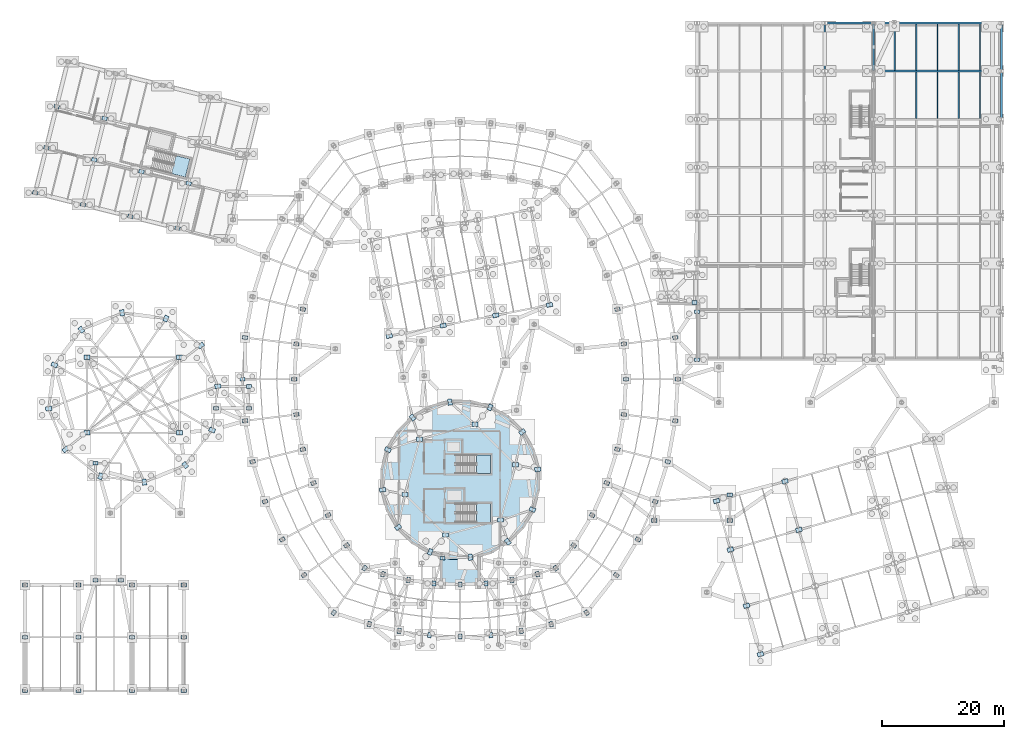
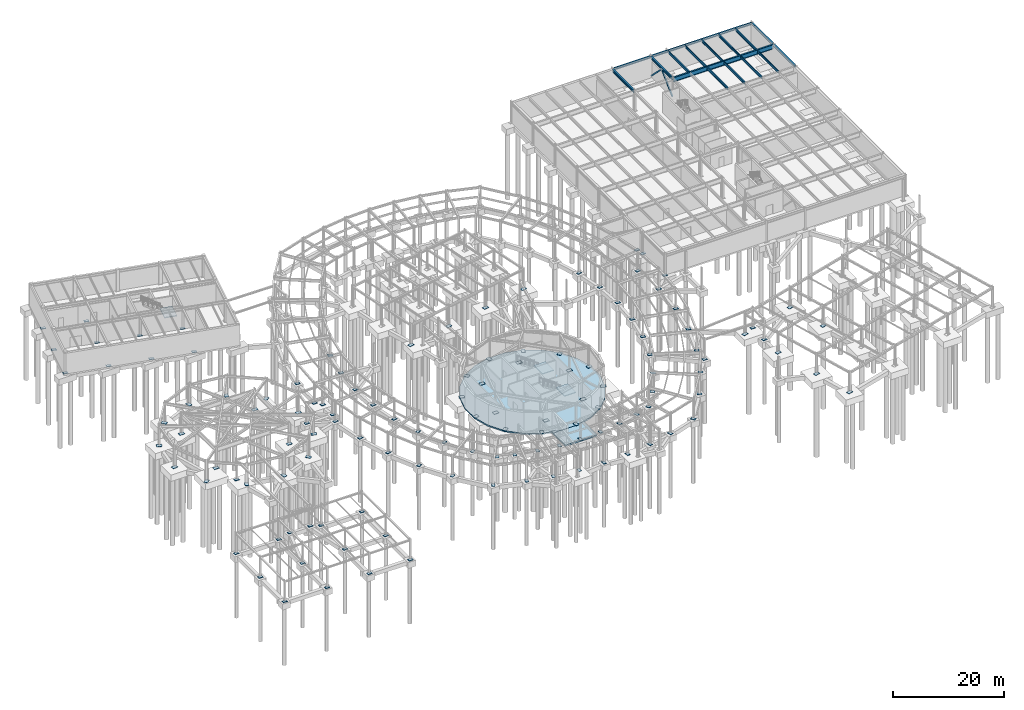
# One storey, part 37 of 50: 127 plates, 16 beams, 5 slabs, 2 members, 3 elements without a shape of their own.
"""IFC4 building model written with IfcOpenShell, lengths in metres."""

from ifc_helpers import new_model, si_unit, direction, frame, origin, origin_2d, place, context, subcontext, project, spatial, polyline, rectangle, hollow_rectangle, i_section, outline, extrude, material, layer, layer_set, material_profile, profile_set, type_object, element, aggregate, save


model = new_model("IFC4")

# Units and contexts
model_context = context("Model", 3, precision=1e-05, world=origin(), true_north=direction((0.0, 1.0)))
body_context = subcontext(model_context, "Body", "Model", "MODEL_VIEW")
ifc_project = project(units=[si_unit("LENGTHUNIT", "METRE"), si_unit("AREAUNIT", "SQUARE_METRE"), si_unit("VOLUMEUNIT", "CUBIC_METRE"), si_unit("PLANEANGLEUNIT", "RADIAN"), si_unit("MASSUNIT", "GRAM", prefix="KILO")], contexts=[model_context])

# Site, building, storey
site_placement = place(None, origin())
site = spatial("IfcSite", under=ifc_project, at=site_placement, CompositionType="ELEMENT")
building_placement = place(site_placement, origin())
building = spatial("IfcBuilding", under=site, at=building_placement, Name="Varnklinge Art Gallery", CompositionType="ELEMENT")
storey_placement = place(building_placement, frame((0.0, 0.0, -4.800048828125)))
storey = spatial("IfcBuildingStorey", under=building, at=storey_placement, Name="B01", CompositionType="ELEMENT", Elevation=-4.800048828125)

# Beams
ifc_material_1 = material(Name="Steel S355", Category="steel")
ifc_material_profile_1 = material_profile(ifc_material_1, i_section(OverallWidth=0.300048828125, OverallDepth=1.0, WebThickness=0.01904296875, FlangeThickness=0.035888671875, FilletRadius=0.030029296875, at=origin_2d()), Name="HEB 1000")
ifc_profile_set_1 = profile_set([ifc_material_profile_1], Name="Steel S355")
beam_type_1 = type_object("IfcBeamType", Name="BM-01", PredefinedType="BEAM", material=ifc_profile_set_1)
beam_1_placement = place(storey_placement, frame((143.5400390625, 105.60009765625, 4.050048828125), z_axis=(1.0, 0.0, 0.0), x_axis=(0.0, 1.0, 0.0)))
element("IfcBeam", 1, at=beam_1_placement, inside=storey, type_object=beam_type_1, Name="B01 BM-01 BM-V1-L00-X6-2", PredefinedType="BEAM", context=body_context, shape_type="SweptSolid", body=[
    extrude(i_section(OverallWidth=0.300048828125, OverallDepth=1.0, WebThickness=0.01904296875, FlangeThickness=0.035888671875, FilletRadius=0.030029296875, at=origin_2d()), origin(), (0.0, 0.0, 1.0), 20.719970703125),
])
ifc_material_2 = material(Name="Steel S355", Category="steel")
ifc_material_profile_2 = material_profile(ifc_material_2, i_section(OverallWidth=0.300048828125, OverallDepth=0.60009765625, WebThickness=0.015380859375, FlangeThickness=0.030029296875, FilletRadius=0.027099609375, at=origin_2d()), Name="HEB 600")
ifc_profile_set_2 = profile_set([ifc_material_profile_2], Name="Steel S355")
beam_type_2 = type_object("IfcBeamType", Name="BM-05", PredefinedType="BEAM", material=ifc_profile_set_2)
for number, where, z_axis, x_axis, name in (
    (2, (135.39990234375, 105.739990234375, 4.25), (0.0, 1.0, 0.0), (-1.0, 0.0, 0.0), "B01 BM-05 BM-V1-L00-Y1-6"),
    (3, (143.39990234375, 105.739990234375, 4.25), (0.0, 1.0, 0.0), (-1.0, 0.0, 0.0), "B01 BM-05 BM-V1-L00-Y2-6"),
):
    element("IfcBeam", number, at=place(storey_placement, frame(where, z_axis=z_axis, x_axis=x_axis)), inside=storey, type_object=beam_type_2, Name=name, PredefinedType="BEAM", context=body_context, shape_type="SweptSolid", body=[
        extrude(i_section(OverallWidth=0.300048828125, OverallDepth=0.60009765625, WebThickness=0.015380859375, FlangeThickness=0.030029296875, FilletRadius=0.027099609375, at=origin_2d()), origin(), (0.0, 0.0, 1.0), 7.6201171875),
    ])

# Members
ifc_material_3 = material(Name="Steel S355", Category="steel")
ifc_material_profile_3 = material_profile(ifc_material_3, hollow_rectangle(XDim=0.25, YDim=0.25, WallThickness=0.012451171875, at=origin_2d()), Name="SHS 250x250x12.5")
ifc_profile_set_3 = profile_set([ifc_material_profile_3], Name="Steel S355")
member_type = type_object("IfcMemberType", Name="BRC-04", PredefinedType="BRACE", material=ifc_profile_set_3)
for number, where, z_axis, x_axis, name in (
    (4, (143.39990234375, 105.760009765625, 0.199951171875), (0.0, 0.710851632373, 0.703341991319), (-1.0, 0.0, 0.0), "B01 Braced Frame V1E-B6 Diagonal A"),
    (5, (143.39990234375, 113.340087890625, 0.199951171875), (0.0, -0.710851632373, 0.703341991319), (1.0, 0.0, 0.0), "B01 Braced Frame V1E-B6 Diagonal B"),
):
    element("IfcMember", number, at=place(storey_placement, frame(where, z_axis=z_axis, x_axis=x_axis)), inside=storey, type_object=member_type, Name=name, PredefinedType="BRACE", context=body_context, shape_type="SweptSolid", body=[
        extrude(hollow_rectangle(XDim=0.25, YDim=0.25, WallThickness=0.012451171875, at=origin_2d()), origin(), (0.0, 0.0, 1.0), 5.331787109375),
    ])

# Beams
ifc_material_4 = material(Name="Steel S355", Category="steel")
ifc_material_profile_4 = material_profile(ifc_material_4, i_section(OverallWidth=0.2099609375, OverallDepth=0.550048828125, WebThickness=0.010986328125, FlangeThickness=0.01708984375, FilletRadius=0.02392578125, at=origin_2d()), Name="IPE 550")
ifc_profile_set_4 = profile_set([ifc_material_profile_4], Name="Steel S355")
beam_type_3 = type_object("IfcBeamType", Name="JST-02", PredefinedType="JOIST", material=ifc_profile_set_4)
for number, where, z_axis, x_axis, name in (
    (6, (150.39990234375, 97.840087890625, 4.275146484375), (0.0, 1.0, 0.0), (-1.0, 0.0, 0.0), "B01 JST-02 JST-V1-L00-5-1-2"),
    (7, (153.89990234375, 97.840087890625, 4.275146484375), (0.0, 1.0, 0.0), (-1.0, 0.0, 0.0), "B01 JST-02 JST-V1-L00-5-1-3"),
    (8, (157.39990234375, 97.840087890625, 4.275146484375), (0.0, 1.0, 0.0), (-1.0, 0.0, 0.0), "B01 JST-02 JST-V1-L00-5-1-4"),
    (9, (160.89990234375, 97.840087890625, 4.275146484375), (0.0, 1.0, 0.0), (-1.0, 0.0, 0.0), "B01 JST-02 JST-V1-L00-5-1-5"),
):
    element("IfcBeam", number, at=place(storey_placement, frame(where, z_axis=z_axis, x_axis=x_axis)), inside=storey, type_object=beam_type_3, Name=name, PredefinedType="JOIST", context=body_context, shape_type="SweptSolid", body=[
        extrude(i_section(OverallWidth=0.2099609375, OverallDepth=0.550048828125, WebThickness=0.010986328125, FlangeThickness=0.01708984375, FilletRadius=0.02392578125, at=origin_2d()), origin(), (0.0, 0.0, 1.0), 7.619873046875),
    ])
for number, where, z_axis, x_axis, name in (
    (10, (146.89990234375, 105.739990234375, 4.275146484375), (0.0, 1.0, 0.0), (-1.0, 0.0, 0.0), "B01 JST-02 JST-V1-L00-6-1-1"),
    (11, (150.39990234375, 105.739990234375, 4.275146484375), (0.0, 1.0, 0.0), (-1.0, 0.0, 0.0), "B01 JST-02 JST-V1-L00-6-1-2"),
    (12, (153.89990234375, 105.739990234375, 4.275146484375), (0.0, 1.0, 0.0), (-1.0, 0.0, 0.0), "B01 JST-02 JST-V1-L00-6-1-3"),
    (13, (157.39990234375, 105.739990234375, 4.275146484375), (0.0, 1.0, 0.0), (-1.0, 0.0, 0.0), "B01 JST-02 JST-V1-L00-6-1-4"),
    (14, (160.89990234375, 105.739990234375, 4.275146484375), (0.0, 1.0, 0.0), (-1.0, 0.0, 0.0), "B01 JST-02 JST-V1-L00-6-1-5"),
):
    element("IfcBeam", number, at=place(storey_placement, frame(where, z_axis=z_axis, x_axis=x_axis)), inside=storey, type_object=beam_type_3, Name=name, PredefinedType="JOIST", context=body_context, shape_type="SweptSolid", body=[
        extrude(i_section(OverallWidth=0.2099609375, OverallDepth=0.550048828125, WebThickness=0.010986328125, FlangeThickness=0.01708984375, FilletRadius=0.02392578125, at=origin_2d()), origin(), (0.0, 0.0, 1.0), 7.6201171875),
    ])
ifc_material_5 = material(Name="Steel S355", Category="steel")
ifc_material_profile_5 = material_profile(ifc_material_5, i_section(OverallWidth=0.300048828125, OverallDepth=0.489990234375, WebThickness=0.011962890625, FlangeThickness=0.02294921875, FilletRadius=0.027099609375, at=origin_2d()), Name="HEA 500")
ifc_profile_set_5 = profile_set([ifc_material_profile_5], Name="Steel S355")
beam_type_4 = type_object("IfcBeamType", Name="SPB-01", PredefinedType="SPANDREL", material=ifc_profile_set_5)
beam_2_placement = place(storey_placement, frame((135.5400390625, 113.5, 4.304931640625), z_axis=(1.0, 0.0, 0.0), x_axis=(0.0, 1.0, 0.0)))
element("IfcBeam", 15, at=beam_2_placement, inside=storey, type_object=beam_type_4, Name="B01 SPB-01 BM-V1-L00-X7-1", PredefinedType="SPANDREL", context=body_context, shape_type="SweptSolid", body=[
    extrude(i_section(OverallWidth=0.300048828125, OverallDepth=0.489990234375, WebThickness=0.011962890625, FlangeThickness=0.02294921875, FilletRadius=0.027099609375, at=origin_2d()), origin(), (0.0, 0.0, 1.0), 7.719970703125),
])
beam_3_placement = place(storey_placement, frame((143.5400390625, 113.5, 4.304931640625), z_axis=(1.0, 0.0, 0.0), x_axis=(0.0, 1.0, 0.0)))
element("IfcBeam", 16, at=beam_3_placement, inside=storey, type_object=beam_type_4, Name="B01 SPB-01 BM-V1-L00-X7-2", PredefinedType="SPANDREL", context=body_context, shape_type="SweptSolid", body=[
    extrude(i_section(OverallWidth=0.300048828125, OverallDepth=0.489990234375, WebThickness=0.011962890625, FlangeThickness=0.02294921875, FilletRadius=0.027099609375, at=origin_2d()), origin(), (0.0, 0.0, 1.0), 20.719970703125),
])
beam_4_placement = place(storey_placement, frame((164.39990234375, 97.840087890625, 4.304931640625), z_axis=(0.0, 1.0, 0.0), x_axis=(-1.0, 0.0, 0.0)))
element("IfcBeam", 17, at=beam_4_placement, inside=storey, type_object=beam_type_4, Name="B01 SPB-01 BM-V1-L00-Y3-5", PredefinedType="SPANDREL", context=body_context, shape_type="SweptSolid", body=[
    extrude(i_section(OverallWidth=0.300048828125, OverallDepth=0.489990234375, WebThickness=0.011962890625, FlangeThickness=0.02294921875, FilletRadius=0.027099609375, at=origin_2d()), origin(), (0.0, 0.0, 1.0), 7.619873046875),
])
beam_5_placement = place(storey_placement, frame((164.39990234375, 105.739990234375, 4.304931640625), z_axis=(0.0, 1.0, 0.0), x_axis=(-1.0, 0.0, 0.0)))
element("IfcBeam", 18, at=beam_5_placement, inside=storey, type_object=beam_type_4, Name="B01 SPB-01 BM-V1-L00-Y3-6", PredefinedType="SPANDREL", context=body_context, shape_type="SweptSolid", body=[
    extrude(i_section(OverallWidth=0.300048828125, OverallDepth=0.489990234375, WebThickness=0.011962890625, FlangeThickness=0.02294921875, FilletRadius=0.027099609375, at=origin_2d()), origin(), (0.0, 0.0, 1.0), 7.6201171875),
])

# Plates
ifc_material_6 = material(Name="Steel S355", Category="steel")
ifc_layer_1 = layer(ifc_material_6, 0.050048828125)
ifc_layer_set_1 = layer_set([ifc_layer_1], Name="Steel S355")
plate_type_1 = type_object("IfcPlateType", Name="PLT-BP2", PredefinedType="SHEET", material=ifc_layer_set_1)
for number, where, z_axis, x_axis, name in (
    (19, (114.39990234375, 58.199951171875, 0.0), (0.0, 0.0, 1.0), (1.0, 0.0, 0.0), "B01 Column Base Plate V1C-1-1"),
    (20, (114.39990234375, 66.10009765625, 0.0), (0.0, 0.0, 1.0), (1.0, 0.0, 0.0), "B01 Column Base Plate V1C-1-2"),
    (21, (96.27099609375, 16.64013671875, 0.0), (0.0, 0.0, 1.0), (-0.570570241419, 0.821248804935, 0.0), "B01 Column Base Plate V2CO-01"),
    (22, (91.185791015625, 23.958984375, 0.0), (0.0, 0.0, 1.0), (-0.570570241419, 0.821248804935, 0.0), "B01 Column Base Plate V2CI-01"),
    (23, (101.14990234375, 22.8251953125, 0.0), (0.0, 0.0, 1.0), (-0.820351542489, 0.571859551582, 0.0), "B01 Column Base Plate V2CO-02"),
    (24, (94.1630859375, 27.6962890625, 0.0), (0.0, 0.0, 1.0), (-0.820351542489, 0.571859551582, 0.0), "B01 Column Base Plate V2CI-02"),
    (25, (104.71630859375, 28.6689453125, 0.0), (0.0, 0.0, 1.0), (-0.883683947469, 0.468084053333, 0.0), "B01 Column Base Plate V2CO-03"),
    (26, (97.189697265625, 32.655517578125, 0.0), (0.0, 0.0, 1.0), (-0.883683947469, 0.468084053333, 0.0), "B01 Column Base Plate V2CI-03"),
    (27, (107.54638671875, 34.90283203125, 0.0), (0.0, 0.0, 1.0), (-0.934017558691, 0.357227098715, 0.0), "B01 Column Base Plate V2CO-04"),
    (28, (99.59130859375, 37.9453125, 0.0), (0.0, 0.0, 1.0), (-0.934017558691, 0.357227098715, 0.0), "B01 Column Base Plate V2CI-04"),
    (29, (109.598388671875, 41.43408203125, 0.0), (0.0, 0.0, 1.0), (-0.970506473469, 0.241075060833, 0.0), "B01 Column Base Plate V2CO-05"),
    (30, (101.332763671875, 43.488037109375, 0.0), (0.0, 0.0, 1.0), (-0.970506473469, 0.241075060833, 0.0), "B01 Column Base Plate V2CI-05"),
    (31, (110.842041015625, 48.16650390625, 0.0), (0.0, 0.0, 1.0), (-0.992588631597, 0.121522872021, 0.0), "B01 Column Base Plate V2CO-06"),
    (32, (102.387939453125, 49.201171875, 0.0), (0.0, 0.0, 1.0), (-0.992588631597, 0.121522872021, 0.0), "B01 Column Base Plate V2CI-06"),
    (33, (111.258544921875, 55.0, 0.0), (0.0, 0.0, 1.0), (-1.0, 0.0, 0.0), "B01 Column Base Plate V2CO-07"),
    (34, (102.741455078125, 55.0, 0.0), (0.0, 0.0, 1.0), (-1.0, 0.0, 0.0), "B01 Column Base Plate V2CI-07"),
    (35, (110.842041015625, 61.83349609375, 0.0), (0.0, 0.0, 1.0), (-0.992588631597, -0.121522872021, 0.0), "B01 Column Base Plate V2CO-08"),
    (36, (102.387939453125, 60.798828125, 0.0), (0.0, 0.0, 1.0), (-0.992588631597, -0.121522872021, 0.0), "B01 Column Base Plate V2CI-08"),
    (37, (101.332763671875, 66.511962890625, 0.0), (0.0, 0.0, 1.0), (-0.970506473469, -0.241075060833, 0.0), "B01 Column Base Plate V2CI-09"),
    (38, (49.667236328125, 66.511962890625, 0.0), (0.0, 0.0, 1.0), (0.970506473469, -0.241075060833, 0.0), "B01 Column Base Plate V2CI-25"),
    (39, (40.157958984375, 61.83349609375, 0.0), (0.0, 0.0, 1.0), (0.992588631597, -0.121522872021, 0.0), "B01 Column Base Plate V2CO-26"),
    (40, (48.612060546875, 60.798828125, 0.0), (0.0, 0.0, 1.0), (0.992588631597, -0.121522872021, 0.0), "B01 Column Base Plate V2CI-26"),
    (41, (39.741455078125, 55.0, 0.0), (0.0, 0.0, 1.0), (1.0, 0.0, 0.0), "B01 Column Base Plate V2CO-27"),
    (42, (48.258544921875, 55.0, 0.0), (0.0, 0.0, 1.0), (1.0, 0.0, 0.0), "B01 Column Base Plate V2CI-27"),
    (43, (40.157958984375, 48.16650390625, 0.0), (0.0, 0.0, 1.0), (0.992588631597, 0.121522872021, 0.0), "B01 Column Base Plate V2CO-28"),
    (44, (48.612060546875, 49.201171875, 0.0), (0.0, 0.0, 1.0), (0.992588631597, 0.121522872021, 0.0), "B01 Column Base Plate V2CI-28"),
    (45, (41.401611328125, 41.43408203125, 0.0), (0.0, 0.0, 1.0), (0.970506473469, 0.241075060833, 0.0), "B01 Column Base Plate V2CO-29"),
    (46, (49.667236328125, 43.488037109375, 0.0), (0.0, 0.0, 1.0), (0.970506473469, 0.241075060833, 0.0), "B01 Column Base Plate V2CI-29"),
    (47, (43.45361328125, 34.90283203125, 0.0), (0.0, 0.0, 1.0), (0.934017558691, 0.357227098715, 0.0), "B01 Column Base Plate V2CO-30"),
    (48, (51.40869140625, 37.9453125, 0.0), (0.0, 0.0, 1.0), (0.934017558691, 0.357227098715, 0.0), "B01 Column Base Plate V2CI-30"),
    (49, (46.28369140625, 28.6689453125, 0.0), (0.0, 0.0, 1.0), (0.883683947469, 0.468084053333, 0.0), "B01 Column Base Plate V2CO-31"),
    (50, (53.810302734375, 32.655517578125, 0.0), (0.0, 0.0, 1.0), (0.883683947469, 0.468084053333, 0.0), "B01 Column Base Plate V2CI-31"),
    (51, (49.85009765625, 22.8251953125, 0.0), (0.0, 0.0, 1.0), (0.820351542489, 0.571859551582, 0.0), "B01 Column Base Plate V2CO-32"),
    (52, (56.8369140625, 27.6962890625, 0.0), (0.0, 0.0, 1.0), (0.820351542489, 0.571859551582, 0.0), "B01 Column Base Plate V2CI-32"),
    (53, (54.72900390625, 16.64013671875, 0.0), (0.0, 0.0, 1.0), (0.570570241419, 0.821248804935, 0.0), "B01 Column Base Plate V2CO-33"),
    (54, (59.814208984375, 23.958984375, 0.0), (0.0, 0.0, 1.0), (0.570570241419, 0.821248804935, 0.0), "B01 Column Base Plate V2CI-33"),
    (55, (60.5703125, 14.7626953125, 0.0), (0.0, 0.0, 1.0), (0.265387847052, 0.964141737836, 0.0), "B01 Column Base Plate V2CO-34"),
    (56, (62.82861328125, 22.966796875, 0.0), (0.0, 0.0, 1.0), (0.265387847052, 0.964141737836, 0.0), "B01 Column Base Plate V2CI-34"),
    (57, (65.479736328125, 13.64501953125, 0.0), (0.0, 0.0, 1.0), (0.178115290264, 0.984009625651, 0.0), "B01 Column Base Plate V2CO-35"),
    (58, (66.99560546875, 22.018310546875, 0.0), (0.0, 0.0, 1.0), (0.178115290264, 0.984009625651, 0.0), "B01 Column Base Plate V2CI-35"),
    (59, (70.4697265625, 12.970703125, 0.0), (0.0, 0.0, 1.0), (0.089415810539, 0.995994383933, 0.0), "B01 Column Base Plate V2CO-36"),
    (60, (71.230712890625, 21.44580078125, 0.0), (0.0, 0.0, 1.0), (0.089415810539, 0.995994383933, 0.0), "B01 Column Base Plate V2CI-36"),
    (61, (75.5, 12.745361328125, 0.0), (0.0, 0.0, 1.0), (0.0, 1.0, 0.0), "B01 Column Base Plate V2CO-37"),
    (62, (75.5, 21.254638671875, 0.0), (0.0, 0.0, 1.0), (0.0, 1.0, 0.0), "B01 Column Base Plate V2CI-37"),
    (63, (80.5302734375, 12.970703125, 0.0), (0.0, 0.0, 1.0), (-0.089415810539, 0.995994383933, 0.0), "B01 Column Base Plate V2CO-38"),
    (64, (79.769287109375, 21.44580078125, 0.0), (0.0, 0.0, 1.0), (-0.089415810539, 0.995994383933, 0.0), "B01 Column Base Plate V2CI-38"),
    (65, (85.520263671875, 13.64501953125, 0.0), (0.0, 0.0, 1.0), (-0.178115290264, 0.984009625651, 0.0), "B01 Column Base Plate V2CO-39"),
    (66, (84.00439453125, 22.018310546875, 0.0), (0.0, 0.0, 1.0), (-0.178115290264, 0.984009625651, 0.0), "B01 Column Base Plate V2CI-39"),
    (67, (90.4296875, 14.7626953125, 0.0), (0.0, 0.0, 1.0), (-0.265387847052, 0.964141737836, 0.0), "B01 Column Base Plate V2CO-40"),
    (68, (88.17138671875, 22.966796875, 0.0), (0.0, 0.0, 1.0), (-0.265387847052, 0.964141737836, 0.0), "B01 Column Base Plate V2CI-40"),
    (69, (5.69287109375, 85.624755859375, 0.0), (0.0, 0.0, 1.0), (0.970295726276, -0.2419218956, 0.0), "B01 Column Base Plate V5C-1-1"),
    (70, (7.531494140625, 92.998779296875, 0.0), (0.0, 0.0, 1.0), (0.970295726276, -0.2419218956, 0.0), "B01 Column Base Plate V5C-1-2"),
    (71, (9.22509765625, 99.791015625, 0.0), (0.0, 0.0, 1.0), (0.970295726276, -0.2419218956, 0.0), "B01 Column Base Plate V5C-1-3"),
    (72, (13.55224609375, 83.6650390625, 0.0), (0.0, 0.0, 1.0), (0.970295726276, -0.2419218956, 0.0), "B01 Column Base Plate V5C-2-1"),
    (73, (15.390869140625, 91.039306640625, 0.0), (0.0, 0.0, 1.0), (0.970295726276, -0.2419218956, 0.0), "B01 Column Base Plate V5C-2-2"),
    (74, (17.08447265625, 97.831298828125, 0.0), (0.0, 0.0, 1.0), (0.970295726276, -0.2419218956, 0.0), "B01 Column Base Plate V5C-2-3"),
    (75, (21.314697265625, 81.729736328125, 0.0), (0.0, 0.0, 1.0), (0.970295726276, -0.2419218956, 0.0), "B01 Column Base Plate V5C-3-1"),
    (76, (23.1533203125, 89.10400390625, 0.0), (0.0, 0.0, 1.0), (0.970295726276, -0.2419218956, 0.0), "B01 Column Base Plate V5C-3-2"),
    (77, (29.076904296875, 79.794189453125, 0.0), (0.0, 0.0, 1.0), (0.970295726276, -0.2419218956, 0.0), "B01 Column Base Plate V5C-4-1"),
    (78, (30.91552734375, 87.168701171875, 0.0), (0.0, 0.0, 1.0), (0.970295726276, -0.2419218956, 0.0), "B01 Column Base Plate V5C-4-2"),
    (79, (4.0, 3.800048828125, 0.0), (0.0, 0.0, 1.0), (1.0, 0.0, 0.0), "B01 Column Base Plate V6SW-1-1"),
    (80, (4.0, 12.60009765625, 0.0), (0.0, 0.0, 1.0), (1.0, 0.0, 0.0), "B01 Column Base Plate V6SW-1-2"),
    (81, (4.0, 21.199951171875, 0.0), (0.0, 0.0, 1.0), (1.0, 0.0, 0.0), "B01 Column Base Plate V6SW-1-3"),
    (82, (12.800048828125, 3.800048828125, 0.0), (0.0, 0.0, 1.0), (1.0, 0.0, 0.0), "B01 Column Base Plate V6SW-2-1"),
    (83, (12.800048828125, 12.60009765625, 0.0), (0.0, 0.0, 1.0), (1.0, 0.0, 0.0), "B01 Column Base Plate V6SW-2-2"),
    (84, (12.800048828125, 21.199951171875, 0.0), (0.0, 0.0, 1.0), (1.0, 0.0, 0.0), "B01 Column Base Plate V6SW-2-3"),
    (85, (21.60009765625, 3.800048828125, 0.0), (0.0, 0.0, 1.0), (1.0, 0.0, 0.0), "B01 Column Base Plate V6SW-3-1"),
    (86, (21.60009765625, 12.60009765625, 0.0), (0.0, 0.0, 1.0), (1.0, 0.0, 0.0), "B01 Column Base Plate V6SW-3-2"),
    (87, (21.60009765625, 21.199951171875, 0.0), (0.0, 0.0, 1.0), (1.0, 0.0, 0.0), "B01 Column Base Plate V6SW-3-3"),
    (88, (30.10009765625, 3.800048828125, 0.0), (0.0, 0.0, 1.0), (1.0, 0.0, 0.0), "B01 Column Base Plate V6SW-4-1"),
    (89, (30.10009765625, 12.60009765625, 0.0), (0.0, 0.0, 1.0), (1.0, 0.0, 0.0), "B01 Column Base Plate V6SW-4-2"),
    (90, (30.10009765625, 21.199951171875, 0.0), (0.0, 0.0, 1.0), (1.0, 0.0, 0.0), "B01 Column Base Plate V6SW-4-3"),
    (91, (114.0, 67.60009765625, 0.0), (0.0, 0.0, 1.0), (1.0, 0.0, 0.0), "B01 Column Base Plate LNK-V1-C2"),
    (92, (35.39990234375, 50.199951171875, 0.0), (0.0, 0.0, 1.0), (1.0, 0.0, 0.0), "B01 Column Base Plate LNK-V3-C1"),
    (93, (40.800048828125, 50.199951171875, 0.0), (0.0, 0.0, 1.0), (1.0, 0.0, 0.0), "B01 Column Base Plate LNK-V3-C2"),
    (94, (40.800048828125, 53.800048828125, 0.0), (0.0, 0.0, 1.0), (1.0, 0.0, 0.0), "B01 Column Base Plate LNK-V3-C3"),
    (95, (72.60009765625, 25.60009765625, 0.0), (0.0, 0.0, 1.0), (1.0, 0.0, 0.0), "B01 Column Base Plate LNK-V4S-C4"),
    (96, (107.39990234375, 31.800048828125, 0.0), (0.0, 0.0, 1.0), (1.0, 0.0, 0.0), "B01 Column Base Plate LNK-V6-C1"),
    (97, (119.800048828125, 31.800048828125, 0.0), (0.0, 0.0, 1.0), (1.0, 0.0, 0.0), "B01 Column Base Plate LNK-V6-C2"),
    (98, (119.800048828125, 36.0, 0.0), (0.0, 0.0, 1.0), (1.0, 0.0, 0.0), "B01 Column Base Plate LNK-V6-C3"),
    (99, (15.60009765625, 22.0, 0.0), (0.0, 0.0, 1.0), (1.0, 0.0, 0.0), "B01 Column Base Plate LNK-SW-C1"),
    (100, (19.800048828125, 22.0, 0.0), (0.0, 0.0, 1.0), (1.0, 0.0, 0.0), "B01 Column Base Plate LNK-SW-C2"),
    (101, (15.60009765625, 41.199951171875, 0.0), (0.0, 0.0, 1.0), (1.0, 0.0, 0.0), "B01 Column Base Plate LNK-SW-C4"),
):
    element("IfcPlate", number, at=place(storey_placement, frame(where, z_axis=z_axis, x_axis=x_axis)), inside=storey, type_object=plate_type_1, Name=name, PredefinedType="SHEET", context=body_context, shape_type="SweptSolid", body=[
        extrude(rectangle(XDim=0.860107421875, YDim=0.60009765625, at=origin_2d()), origin(), (0.0, 0.0, 1.0), 0.050048828125),
    ])
ifc_material_7 = material(Name="Steel S355", Category="steel")
ifc_layer_2 = layer(ifc_material_7, 0.06005859375)
ifc_layer_set_2 = layer_set([ifc_layer_2], Name="Steel S355")
plate_type_2 = type_object("IfcPlateType", Name="PLT-BP3", PredefinedType="SHEET", material=ifc_layer_set_2)
for number, where, z_axis, x_axis, name in (
    (102, (35.7001953125, 53.830078125, 0.0), (0.0, 0.0, 1.0), (0.991444861374, 0.13052619222, 0.0), "B01 Column Base Plate V3CP-01"),
    (103, (32.9228515625, 60.534912109375, 0.0), (0.0, 0.0, 1.0), (0.793353340291, 0.608761429009, 0.0), "B01 Column Base Plate V3CP-02"),
    (104, (27.165283203125, 64.952880859375, 0.0), (0.0, 0.0, 1.0), (0.382683432365, 0.923879532511, 0.0), "B01 Column Base Plate V3CP-03"),
    (105, (19.969970703125, 65.900146484375, 0.0), (0.0, 0.0, 1.0), (-0.13052619222, 0.991444861374, 0.0), "B01 Column Base Plate V3CP-04"),
    (106, (13.26513671875, 63.122802734375, 0.0), (0.0, 0.0, 1.0), (-0.608761429009, 0.793353340291, 0.0), "B01 Column Base Plate V3CP-05"),
    (107, (8.84716796875, 57.365234375, 0.0), (0.0, 0.0, 1.0), (-0.923879532511, 0.382683432365, 0.0), "B01 Column Base Plate V3CP-06"),
    (108, (7.89990234375, 50.169921875, 0.0), (0.0, 0.0, 1.0), (-0.991444861374, -0.13052619222, 0.0), "B01 Column Base Plate V3CP-07"),
    (109, (10.67724609375, 43.465087890625, 0.0), (0.0, 0.0, 1.0), (-0.793353340291, -0.608761429009, 0.0), "B01 Column Base Plate V3CP-08"),
    (110, (16.434814453125, 39.047119140625, 0.0), (0.0, 0.0, 1.0), (-0.382683432365, -0.923879532511, 0.0), "B01 Column Base Plate V3CP-09"),
    (111, (23.6298828125, 38.099853515625, 0.0), (0.0, 0.0, 1.0), (0.13052619222, -0.991444861374, 0.0), "B01 Column Base Plate V3CP-10"),
    (112, (30.334716796875, 40.877197265625, 0.0), (0.0, 0.0, 1.0), (0.608761429009, -0.793353340291, 0.0), "B01 Column Base Plate V3CP-11"),
    (113, (34.752685546875, 46.634765625, 0.0), (0.0, 0.0, 1.0), (0.923879532511, -0.382683432365, 0.0), "B01 Column Base Plate V3CP-12"),
    (114, (14.199951171875, 46.199951171875, 0.0), (0.0, 0.0, 1.0), (1.0, 0.0, 0.0), "B01 Column Base Plate V3CI-1"),
    (115, (29.39990234375, 46.199951171875, 0.0), (0.0, 0.0, 1.0), (1.0, 0.0, 0.0), "B01 Column Base Plate V3CI-2"),
    (116, (29.39990234375, 58.60009765625, 0.0), (0.0, 0.0, 1.0), (1.0, 0.0, 0.0), "B01 Column Base Plate V3CI-3"),
    (117, (14.199951171875, 58.60009765625, 0.0), (0.0, 0.0, 1.0), (1.0, 0.0, 0.0), "B01 Column Base Plate V3CI-4"),
    (118, (88.239990234375, 40.17724609375, 0.0), (0.0, 0.0, 1.0), (0.991444861374, 0.13052619222, 0.0), "B01 Column Base Plate V4CP-01"),
    (119, (85.694580078125, 46.322509765625, 0.0), (0.0, 0.0, 1.0), (0.793353340291, 0.608761429009, 0.0), "B01 Column Base Plate V4CP-02"),
    (120, (80.41748046875, 50.371826171875, 0.0), (0.0, 0.0, 1.0), (0.382683432365, 0.923879532511, 0.0), "B01 Column Base Plate V4CP-03"),
    (121, (73.82275390625, 51.239990234375, 0.0), (0.0, 0.0, 1.0), (-0.13052619222, 0.991444861374, 0.0), "B01 Column Base Plate V4CP-04"),
    (122, (67.677490234375, 48.694580078125, 0.0), (0.0, 0.0, 1.0), (-0.608761429009, 0.793353340291, 0.0), "B01 Column Base Plate V4CP-05"),
    (123, (63.628173828125, 43.41748046875, 0.0), (0.0, 0.0, 1.0), (-0.923879532511, 0.382683432365, 0.0), "B01 Column Base Plate V4CP-06"),
    (124, (62.760009765625, 36.82275390625, 0.0), (0.0, 0.0, 1.0), (-0.991444861374, -0.13052619222, 0.0), "B01 Column Base Plate V4CP-07"),
    (125, (65.305419921875, 30.677490234375, 0.0), (0.0, 0.0, 1.0), (-0.793353340291, -0.608761429009, 0.0), "B01 Column Base Plate V4CP-08"),
    (126, (70.58251953125, 26.628173828125, 0.0), (0.0, 0.0, 1.0), (-0.382683432365, -0.923879532511, 0.0), "B01 Column Base Plate V4CP-09"),
    (127, (77.17724609375, 25.760009765625, 0.0), (0.0, 0.0, 1.0), (0.13052619222, -0.991444861374, 0.0), "B01 Column Base Plate V4CP-10"),
    (128, (83.322509765625, 28.305419921875, 0.0), (0.0, 0.0, 1.0), (0.608761429009, -0.793353340291, 0.0), "B01 Column Base Plate V4CP-11"),
    (129, (87.371826171875, 33.58251953125, 0.0), (0.0, 0.0, 1.0), (0.923879532511, -0.382683432365, 0.0), "B01 Column Base Plate V4CP-12"),
    (130, (84.57958984375, 40.932861328125, 0.0), (0.0, 0.0, 1.0), (1.0, 0.0, 0.0), "B01 Column Base Plate V4CI-1"),
    (131, (77.932861328125, 47.57958984375, 0.0), (0.0, 0.0, 1.0), (1.0, 0.0, 0.0), "B01 Column Base Plate V4CI-2"),
    (132, (68.853271484375, 45.146728515625, 0.0), (0.0, 0.0, 1.0), (1.0, 0.0, 0.0), "B01 Column Base Plate V4CI-3"),
    (133, (66.42041015625, 36.067138671875, 0.0), (0.0, 0.0, 1.0), (1.0, 0.0, 0.0), "B01 Column Base Plate V4CI-4"),
    (134, (73.067138671875, 29.42041015625, 0.0), (0.0, 0.0, 1.0), (1.0, 0.0, 0.0), "B01 Column Base Plate V4CI-5"),
    (135, (82.146728515625, 31.853271484375, 0.0), (0.0, 0.0, 1.0), (1.0, 0.0, 0.0), "B01 Column Base Plate V4CI-6"),
    (136, (63.872802734375, 62.090087890625, 0.0), (0.0, 0.0, 1.0), (0.981627183448, 0.190808995377, 0.0), "B01 Column Base Plate V4BC-1-1"),
    (137, (72.707275390625, 63.807373046875, 0.0), (0.0, 0.0, 1.0), (0.981627183448, 0.190808995377, 0.0), "B01 Column Base Plate V4BC-2-1"),
    (138, (81.345703125, 65.486572265625, 0.0), (0.0, 0.0, 1.0), (0.981627183448, 0.190808995377, 0.0), "B01 Column Base Plate V4BC-3-1"),
    (139, (90.180419921875, 67.203857421875, 0.0), (0.0, 0.0, 1.0), (0.981627183448, 0.190808995377, 0.0), "B01 Column Base Plate V4BC-4-1"),
    (140, (124.827392578125, 9.80810546875, 0.0), (0.0, 0.0, 1.0), (0.961261695938, 0.275637355817, 0.0), "B01 Column Base Plate V6C-1-1"),
    (141, (122.539794921875, 17.78662109375, 0.0), (0.0, 0.0, 1.0), (0.961261695938, 0.275637355817, 0.0), "B01 Column Base Plate V6C-1-2"),
    (142, (119.8935546875, 27.014892578125, 0.0), (0.0, 0.0, 1.0), (0.961261695938, 0.275637355817, 0.0), "B01 Column Base Plate V6C-1-3"),
    (143, (117.605712890625, 34.9931640625, 0.0), (0.0, 0.0, 1.0), (0.961261695938, 0.275637355817, 0.0), "B01 Column Base Plate V6C-1-4"),
    (144, (131.140380859375, 30.23974609375, 0.0), (0.0, 0.0, 1.0), (0.961261695938, 0.275637355817, 0.0), "B01 Column Base Plate V6C-2-3"),
    (145, (128.8525390625, 38.21826171875, 0.0), (0.0, 0.0, 1.0), (0.961261695938, 0.275637355817, 0.0), "B01 Column Base Plate V6C-2-4"),
):
    element("IfcPlate", number, at=place(storey_placement, frame(where, z_axis=z_axis, x_axis=x_axis)), inside=storey, type_object=plate_type_2, Name=name, PredefinedType="SHEET", context=body_context, shape_type="SweptSolid", body=[
        extrude(rectangle(XDim=1.0, YDim=0.699951171875, at=origin_2d()), origin(), (0.0, 0.0, 1.0), 0.06005859375),
    ])

# Slabs
ifc_material_8 = material(Name="Concrete C35/45", Category="concrete")
ifc_layer_3 = layer(ifc_material_8, 0.300048828125)
ifc_layer_set_3 = layer_set([ifc_layer_3], Name="Concrete C35/45")
slab_type_1 = type_object("IfcSlabType", Name="SLB-BASE30", PredefinedType="BASESLAB", material=ifc_layer_set_3)
slab_1_placement = place(storey_placement, frame((0.0, 0.0, -0.300048828125)))
element("IfcSlab", 146, at=slab_1_placement, inside=storey, type_object=slab_type_1, Name="B01 Pavilion Drum Base Slab", PredefinedType="BASESLAB", context=body_context, shape_type="SweptSolid", body=[
    extrude(outline(polyline([(87.6953125, 43.551513671875), (85.972412109375, 46.53564453125), (83.53564453125, 48.972412109375), (80.551513671875, 50.6953125), (77.222900390625, 51.587158203125), (73.777099609375, 51.587158203125), (70.448486328125, 50.6953125), (67.46435546875, 48.972412109375), (65.027587890625, 46.53564453125), (63.3046875, 43.551513671875), (62.412841796875, 40.222900390625), (62.412841796875, 36.777099609375), (63.3046875, 33.448486328125), (65.027587890625, 30.46435546875), (67.46435546875, 28.027587890625), (70.448486328125, 26.3046875), (73.777099609375, 25.412841796875), (77.222900390625, 25.412841796875), (80.551513671875, 26.3046875), (83.53564453125, 28.027587890625), (85.972412109375, 30.46435546875), (87.6953125, 33.448486328125), (88.587158203125, 36.777099609375), (88.587158203125, 40.222900390625), (87.6953125, 43.551513671875)])), origin(), (0.0, 0.0, 1.0), 0.300048828125),
])
slab_2_placement = place(storey_placement, frame((0.0, 0.0, -0.300048828125)))
element("IfcSlab", 147, at=slab_2_placement, inside=storey, type_object=slab_type_1, Name="B01 LNK-V4S Link Base Slab", PredefinedType="BASESLAB", context=body_context, shape_type="SweptSolid", body=[
    extrude(outline(polyline([(72.199951171875, 21.0), (78.800048828125, 21.0), (78.800048828125, 25.83544921875), (77.222900390625, 25.412841796875), (73.777099609375, 25.412841796875), (72.199951171875, 25.83544921875), (72.199951171875, 21.0)])), origin(), (0.0, 0.0, 1.0), 0.300048828125),
])

# Stair, slab
ifc_material_9 = material(Name="Concrete C40/50", Category="concrete")
stair_type = type_object("IfcStairType", Name="STR-C4800", PredefinedType="HALF_TURN_STAIR", material=ifc_material_9)
stair_1_placement = place(storey_placement, origin())
stair_1 = element("IfcStair", 148, at=stair_1_placement, inside=storey, type_object=stair_type, Name="B01 Core C1 Stair ST-01", PredefinedType="HALF_TURN_STAIR")
ifc_material_10 = material(Name="Concrete C40/50", Category="concrete")
ifc_layer_4 = layer(ifc_material_10, 0.199951171875)
ifc_layer_set_4 = layer_set([ifc_layer_4], Name="Concrete C40/50")
slab_type_2 = type_object("IfcSlabType", Name="SLB-LND20", PredefinedType="LANDING", material=ifc_layer_set_4)
slab_3_placement = place(storey_placement, frame((0.0, 0.0, 2.199951171875)))
slab_3 = element("IfcSlab", 149, at=slab_3_placement, type_object=slab_type_2, Name="ST-01 landing 1", PredefinedType="LANDING", context=body_context, shape_type="SweptSolid", body=[
    extrude(outline(polyline([(78.14990234375, 31.5), (80.5, 31.5), (80.5, 34.56005859375), (78.14990234375, 34.56005859375), (78.14990234375, 31.5)])), origin(), (0.0, 0.0, 1.0), 0.2001953125),
])
aggregate(stair_1, [slab_3])

stair_2_placement = place(storey_placement, origin())
stair_2 = element("IfcStair", 150, at=stair_2_placement, inside=storey, type_object=stair_type, Name="B01 Core C2 Stair ST-02", PredefinedType="HALF_TURN_STAIR")
slab_4_placement = place(storey_placement, frame((0.0, 0.0, 2.199951171875)))
slab_4 = element("IfcSlab", 151, at=slab_4_placement, type_object=slab_type_2, Name="ST-02 landing 1", PredefinedType="LANDING", context=body_context, shape_type="SweptSolid", body=[
    extrude(outline(polyline([(78.14990234375, 39.5), (80.5, 39.5), (80.5, 42.56005859375), (78.14990234375, 42.56005859375), (78.14990234375, 39.5)])), origin(), (0.0, 0.0, 1.0), 0.2001953125),
])
aggregate(stair_2, [slab_4])

stair_3_placement = place(storey_placement, origin())
stair_3 = element("IfcStair", 152, at=stair_3_placement, inside=storey, type_object=stair_type, Name="B01 Core C4 Stair ST-04", PredefinedType="HALF_TURN_STAIR")
slab_5_placement = place(storey_placement, frame((0.0, 0.0, 2.199951171875)))
slab_5 = element("IfcSlab", 153, at=slab_5_placement, type_object=slab_type_2, Name="ST-04 landing 1", PredefinedType="LANDING", context=body_context, shape_type="SweptSolid", body=[
    extrude(outline(polyline([(28.083984375, 88.762451171875), (30.3642578125, 88.194091796875), (31.1044921875, 91.1630859375), (28.824462890625, 91.731689453125), (28.083984375, 88.762451171875)])), origin(), (0.0, 0.0, 1.0), 0.2001953125),
])
aggregate(stair_3, [slab_5])

save(model, "model.ifc")
